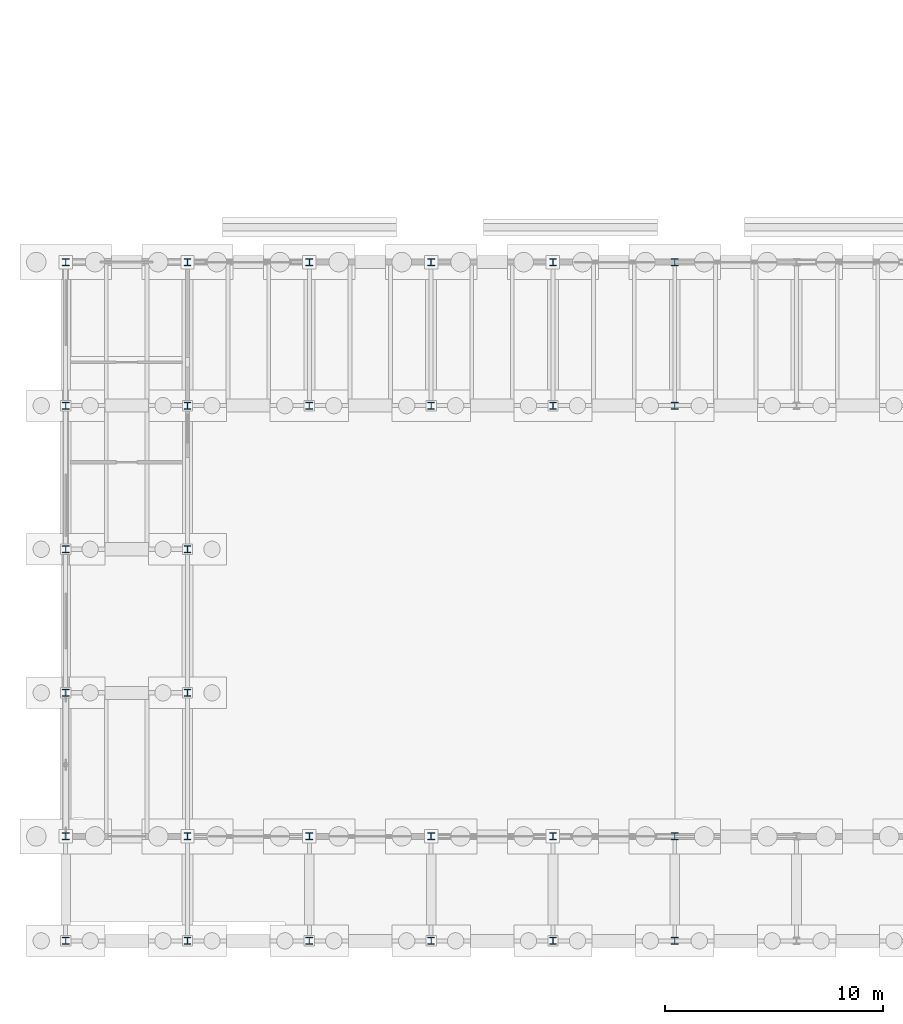
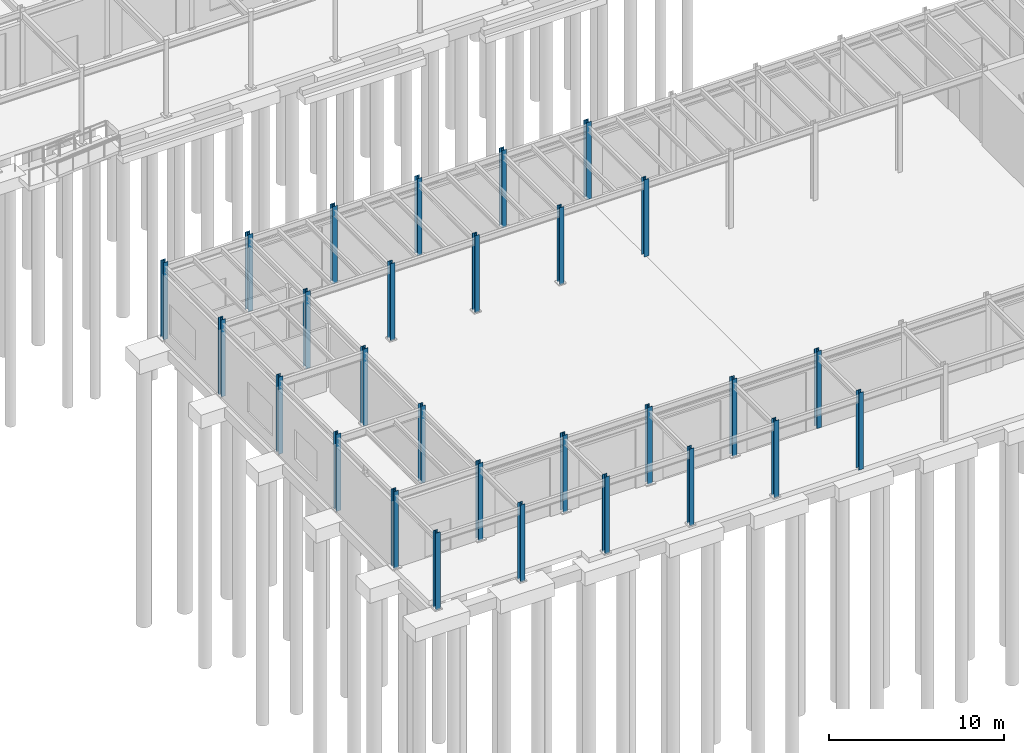
# One storey, part 8 of 82: 28 columns.
"""IFC4 building model written with IfcOpenShell, lengths in metres."""

from ifc_helpers import new_model, si_unit, direction, frame, origin, origin_2d, place, context, subcontext, project, spatial, i_section, extrude, material, material_profile, profile_set, type_object, element, save


model = new_model("IFC4")

# Units and contexts
model_context = context("Model", 3, precision=1e-05, world=origin(), true_north=direction((0.0, 1.0)))
body_context = subcontext(model_context, "Body", "Model", "MODEL_VIEW")
ifc_project = project(units=[si_unit("LENGTHUNIT", "METRE"), si_unit("AREAUNIT", "SQUARE_METRE"), si_unit("VOLUMEUNIT", "CUBIC_METRE"), si_unit("PLANEANGLEUNIT", "RADIAN"), si_unit("MASSUNIT", "GRAM", prefix="KILO")], contexts=[model_context])

# Site, building, storey
site_placement = place(None, origin())
site = spatial("IfcSite", under=ifc_project, at=site_placement, CompositionType="ELEMENT")
building_placement = place(site_placement, origin())
building = spatial("IfcBuilding", under=site, at=building_placement, Name="Trelmorton Wharf Fire Station", CompositionType="ELEMENT")
storey_placement = place(building_placement, origin())
storey = spatial("IfcBuildingStorey", under=building, at=storey_placement, Name="L00", CompositionType="ELEMENT", Elevation=0.0)

# Columns
ifc_material_1 = material(Name="Steel Grade 350", Category="steel")
ifc_material_profile_1 = material_profile(ifc_material_1, i_section(OverallWidth=0.306884765625, OverallDepth=0.31494140625, WebThickness=0.011962890625, FlangeThickness=0.018798828125, FilletRadius=0.0166015625, at=origin_2d()), Name="310UC118")
ifc_profile_set_1 = profile_set([ifc_material_profile_1], Name="Steel Grade 350")
column_type_1 = type_object("IfcColumnType", Name="COL_310UC118", PredefinedType="COLUMN", material=ifc_profile_set_1)
for number, where, z_axis, x_axis, name in (
    (1, (0.800048828125, 14.39990234375, 0.0), (0.0, 0.0, 1.0), (1.0, 0.0, 0.0), "COL-L00-0003"),
    (2, (0.800048828125, 21.0, 0.0), (0.0, 0.0, 1.0), (1.0, 0.0, 0.0), "COL-L00-0004"),
    (3, (0.800048828125, 27.60009765625, 0.0), (0.0, 0.0, 1.0), (1.0, 0.0, 0.0), "COL-L00-0005"),
    (4, (6.39990234375, 14.39990234375, 0.0), (0.0, 0.0, 1.0), (1.0, 0.0, 0.0), "COL-L00-0014"),
    (5, (6.39990234375, 21.0, 0.0), (0.0, 0.0, 1.0), (1.0, 0.0, 0.0), "COL-L00-0015"),
    (6, (6.39990234375, 27.60009765625, 0.0), (0.0, 0.0, 1.0), (1.0, 0.0, 0.0), "COL-L00-0016"),
    (7, (12.0, 27.60009765625, 0.0), (0.0, 0.0, 1.0), (1.0, 0.0, 0.0), "COL-L00-0025"),
    (8, (17.60009765625, 27.60009765625, 0.0), (0.0, 0.0, 1.0), (1.0, 0.0, 0.0), "COL-L00-0034"),
    (9, (23.199951171875, 27.60009765625, 0.0), (0.0, 0.0, 1.0), (1.0, 0.0, 0.0), "COL-L00-0043"),
    (10, (28.800048828125, 27.60009765625, 0.0), (0.0, 0.0, 1.0), (1.0, 0.0, 0.0), "COL-L00-0052"),
):
    element("IfcColumn", number, at=place(storey_placement, frame(where, z_axis=z_axis, x_axis=x_axis)), inside=storey, type_object=column_type_1, Name=name, PredefinedType="COLUMN", context=body_context, shape_type="SweptSolid", body=[
        extrude(i_section(OverallWidth=0.306884765625, OverallDepth=0.31494140625, WebThickness=0.011962890625, FlangeThickness=0.018798828125, FilletRadius=0.0166015625, at=origin_2d()), origin(), (0.0, 0.0, 1.0), 5.39990234375),
    ])
ifc_material_profile_2 = material_profile(ifc_material_1, i_section(OverallWidth=0.31103515625, OverallDepth=0.326904296875, WebThickness=0.015625, FlangeThickness=0.02490234375, FilletRadius=0.0166015625, at=origin_2d()), Name="310UC158")
ifc_profile_set_2 = profile_set([ifc_material_profile_2], Name="Steel Grade 350")
column_type_2 = type_object("IfcColumnType", Name="COL_310UC158", PredefinedType="COLUMN", material=ifc_profile_set_2)
for number, where, z_axis, x_axis, name in (
    (11, (0.800048828125, 7.800048828125, 0.0), (0.0, 0.0, 1.0), (1.0, 0.0, 0.0), "COL-L00-0002"),
    (12, (0.800048828125, 34.199951171875, 0.0), (0.0, 0.0, 1.0), (1.0, 0.0, 0.0), "COL-L00-0006"),
    (13, (6.39990234375, 7.800048828125, 0.0), (0.0, 0.0, 1.0), (1.0, 0.0, 0.0), "COL-L00-0013"),
    (14, (6.39990234375, 34.199951171875, 0.0), (0.0, 0.0, 1.0), (1.0, 0.0, 0.0), "COL-L00-0017"),
    (15, (12.0, 7.800048828125, 0.0), (0.0, 0.0, 1.0), (1.0, 0.0, 0.0), "COL-L00-0024"),
    (16, (12.0, 34.199951171875, 0.0), (0.0, 0.0, 1.0), (1.0, 0.0, 0.0), "COL-L00-0026"),
    (17, (17.60009765625, 7.800048828125, 0.0), (0.0, 0.0, 1.0), (1.0, 0.0, 0.0), "COL-L00-0033"),
    (18, (17.60009765625, 34.199951171875, 0.0), (0.0, 0.0, 1.0), (1.0, 0.0, 0.0), "COL-L00-0035"),
    (19, (23.199951171875, 7.800048828125, 0.0), (0.0, 0.0, 1.0), (1.0, 0.0, 0.0), "COL-L00-0042"),
    (20, (23.199951171875, 34.199951171875, 0.0), (0.0, 0.0, 1.0), (1.0, 0.0, 0.0), "COL-L00-0044"),
    (21, (28.800048828125, 7.800048828125, 0.0), (0.0, 0.0, 1.0), (1.0, 0.0, 0.0), "COL-L00-0051"),
    (22, (28.800048828125, 34.199951171875, 0.0), (0.0, 0.0, 1.0), (1.0, 0.0, 0.0), "COL-L00-0053"),
):
    element("IfcColumn", number, at=place(storey_placement, frame(where, z_axis=z_axis, x_axis=x_axis)), inside=storey, type_object=column_type_2, Name=name, PredefinedType="COLUMN", context=body_context, shape_type="SweptSolid", body=[
        extrude(i_section(OverallWidth=0.31103515625, OverallDepth=0.326904296875, WebThickness=0.015625, FlangeThickness=0.02490234375, FilletRadius=0.0166015625, at=origin_2d()), origin(), (0.0, 0.0, 1.0), 5.39990234375),
    ])
ifc_material_2 = material(Name="Signal-red architectural steel Grade 350", Category="steel")
ifc_material_profile_3 = material_profile(ifc_material_2, i_section(OverallWidth=0.306884765625, OverallDepth=0.31494140625, WebThickness=0.011962890625, FlangeThickness=0.018798828125, FilletRadius=0.0166015625, at=origin_2d()), Name="310UC118")
ifc_profile_set_3 = profile_set([ifc_material_profile_3], Name="Signal-red architectural steel Grade 350")
column_type_3 = type_object("IfcColumnType", Name="COL_RED_310UC118", PredefinedType="COLUMN", material=ifc_profile_set_3)
for number, where, z_axis, x_axis, name in (
    (23, (0.800048828125, 3.0, 0.0), (0.0, 0.0, 1.0), (1.0, 0.0, 0.0), "COL-L00-0001"),
    (24, (6.39990234375, 3.0, 0.0), (0.0, 0.0, 1.0), (1.0, 0.0, 0.0), "COL-L00-0012"),
    (25, (12.0, 3.0, 0.0), (0.0, 0.0, 1.0), (1.0, 0.0, 0.0), "COL-L00-0023"),
    (26, (17.60009765625, 3.0, 0.0), (0.0, 0.0, 1.0), (1.0, 0.0, 0.0), "COL-L00-0032"),
    (27, (23.199951171875, 3.0, 0.0), (0.0, 0.0, 1.0), (1.0, 0.0, 0.0), "COL-L00-0041"),
    (28, (28.800048828125, 3.0, 0.0), (0.0, 0.0, 1.0), (1.0, 0.0, 0.0), "COL-L00-0050"),
):
    element("IfcColumn", number, at=place(storey_placement, frame(where, z_axis=z_axis, x_axis=x_axis)), inside=storey, type_object=column_type_3, Name=name, PredefinedType="COLUMN", context=body_context, shape_type="SweptSolid", body=[
        extrude(i_section(OverallWidth=0.306884765625, OverallDepth=0.31494140625, WebThickness=0.011962890625, FlangeThickness=0.018798828125, FilletRadius=0.0166015625, at=origin_2d()), origin(), (0.0, 0.0, 1.0), 5.39990234375),
    ])

save(model, "model.ifc")
